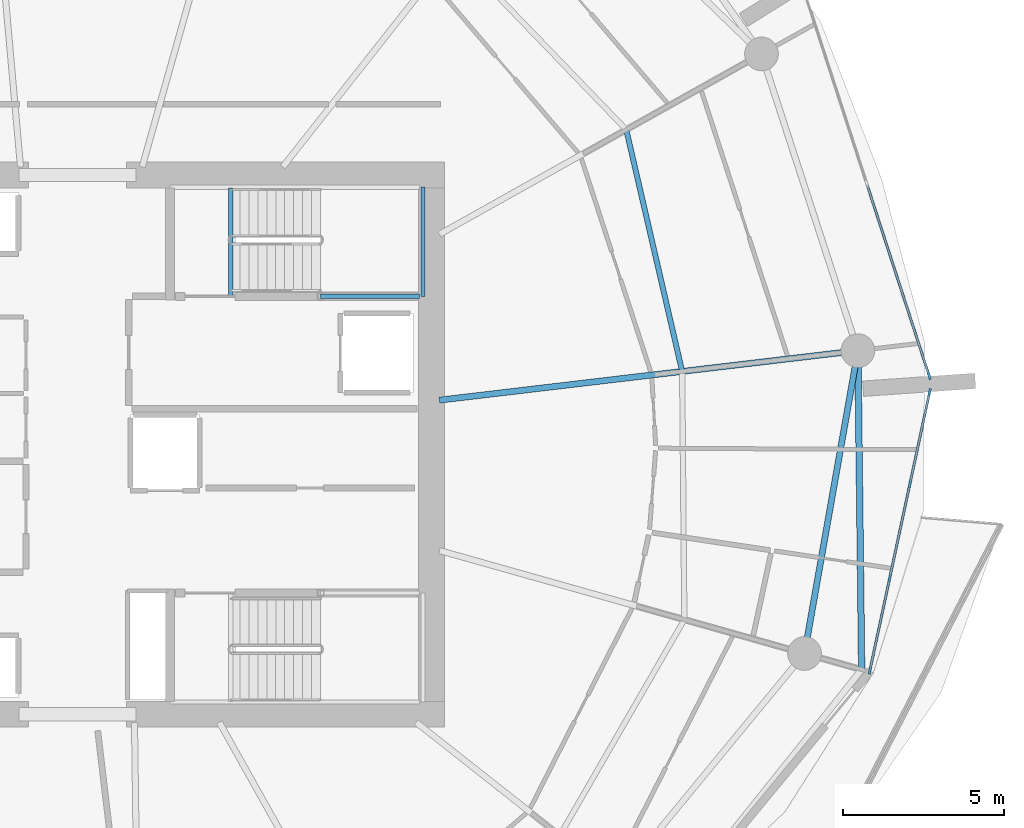
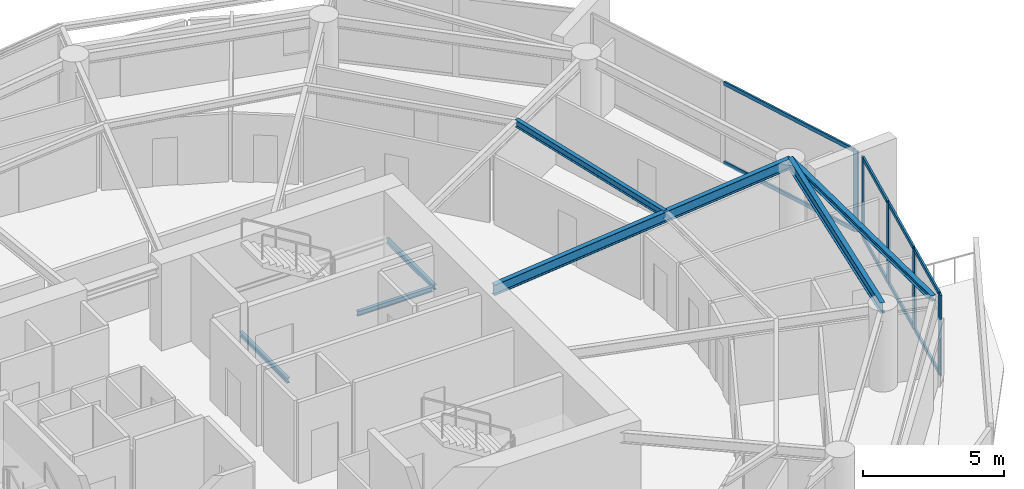
# One storey, part 7 of 20: 13 members, 7 beams, 2 elements without a shape of their own.
"""IFC4 building model written with IfcOpenShell, lengths in metres."""

from ifc_helpers import new_model, si_unit, direction, frame, origin, origin_2d, place, context, subcontext, project, spatial, rectangle, i_section, extrude, material, layer, layer_set, material_profile, profile_set, type_object, element, aggregate, save


model = new_model("IFC4")

# Units and contexts
model_context = context("Model", 3, precision=1e-05, world=origin(), true_north=direction((0.0, 1.0)))
body_context = subcontext(model_context, "Body", "Model", "MODEL_VIEW")
ifc_project = project(units=[si_unit("LENGTHUNIT", "METRE"), si_unit("AREAUNIT", "SQUARE_METRE"), si_unit("VOLUMEUNIT", "CUBIC_METRE"), si_unit("PLANEANGLEUNIT", "RADIAN"), si_unit("MASSUNIT", "GRAM", prefix="KILO")], contexts=[model_context])

# Site, building, storey
site_placement = place(None, origin())
site = spatial("IfcSite", under=ifc_project, at=site_placement, CompositionType="ELEMENT")
building_placement = place(site_placement, origin())
building = spatial("IfcBuilding", under=site, at=building_placement, Name="Kazma Halo Residences", CompositionType="ELEMENT")
storey_placement = place(building_placement, frame((0.0, 0.0, 146.550048828125)))
storey = spatial("IfcBuildingStorey", under=building, at=storey_placement, Name="L36", CompositionType="ELEMENT", Elevation=146.550048828125)

# Beams
ifc_material_1 = material(Name="Steel S355", Category="steel")
ifc_material_profile_1 = material_profile(ifc_material_1, i_section(OverallWidth=0.201904296875, OverallDepth=0.2470703125, WebThickness=0.00732421875, FlangeThickness=0.010986328125, FilletRadius=0.011962890625, at=origin_2d()), Name="W250x49.1")
ifc_profile_set_1 = profile_set([ifc_material_profile_1], Name="Steel S355")
beam_type_1 = type_object("IfcBeamType", Name="BM-BAL-CANT", PredefinedType="BEAM", material=ifc_profile_set_1)
beam_1_placement = place(storey_placement, frame((72.850341796875, 34.991455078125, 3.37646484375), z_axis=(-0.011793371143, 0.99993045578, 0.0), x_axis=(-0.99993045578, -0.011793371143, 0.0)))
element("IfcBeam", 1, at=beam_1_placement, inside=storey, type_object=beam_type_1, Name="L36 wave-balcony tie beam 15", PredefinedType="BEAM", context=body_context, shape_type="SweptSolid", body=[
    extrude(i_section(OverallWidth=0.201904296875, OverallDepth=0.2470703125, WebThickness=0.00732421875, FlangeThickness=0.010986328125, FilletRadius=0.011962890625, at=origin_2d()), origin(), (0.0, 0.0, 1.0), 9.936767578125),
])
ifc_material_profile_2 = material_profile(ifc_material_1, i_section(OverallWidth=0.18994140625, OverallDepth=0.45703125, WebThickness=0.009033203125, FlangeThickness=0.014404296875, FilletRadius=0.01611328125, at=origin_2d()), Name="W460x74")
ifc_profile_set_2 = profile_set([ifc_material_profile_2], Name="Steel S355")
beam_type_2 = type_object("IfcBeamType", Name="BM-RAD-W460", PredefinedType="BEAM", material=ifc_profile_set_2)
beam_2_placement = place(storey_placement, frame((59.699951171875, 43.384765625, 3.271484375), z_axis=(0.993067181848, 0.117548170278, 0.0), x_axis=(-0.117548170278, 0.993067181848, 0.0)))
element("IfcBeam", 2, at=beam_2_placement, inside=storey, type_object=beam_type_2, Name="L36 radial floor beam 16", PredefinedType="BEAM", context=body_context, shape_type="SweptSolid", body=[
    extrude(i_section(OverallWidth=0.18994140625, OverallDepth=0.45703125, WebThickness=0.009033203125, FlangeThickness=0.014404296875, FilletRadius=0.01611328125, at=origin_2d()), origin(), (0.0, 0.0, 1.0), 13.124267578125),
])
ifc_material_profile_3 = material_profile(ifc_material_1, i_section(OverallWidth=0.1650390625, OverallDepth=0.31005859375, WebThickness=0.005859375, FlangeThickness=0.009765625, FilletRadius=0.011962890625, at=origin_2d()), Name="W310x38.7")
ifc_profile_set_3 = profile_set([ifc_material_profile_3], Name="Steel S355")
beam_type_3 = type_object("IfcBeamType", Name="BM-SEC-W310B", PredefinedType="JOIST", material=ifc_profile_set_3)
beam_3_placement = place(storey_placement, frame((67.25927734375, 44.279541015625, 3.344970703125), z_axis=(-0.225330067077, 0.97428248515, 0.0), x_axis=(-0.97428248515, -0.225330067077, 0.0)))
element("IfcBeam", 3, at=beam_3_placement, inside=storey, type_object=beam_type_3, Name="L36 circumferential floor joist 16", PredefinedType="JOIST", context=body_context, shape_type="SweptSolid", body=[
    extrude(i_section(OverallWidth=0.1650390625, OverallDepth=0.31005859375, WebThickness=0.005859375, FlangeThickness=0.009765625, FilletRadius=0.011962890625, at=origin_2d()), origin(), (0.0, 0.0, 1.0), 7.7294921875),
])
ifc_material_profile_4 = material_profile(ifc_material_1, i_section(OverallWidth=0.18994140625, OverallDepth=0.45703125, WebThickness=0.009033203125, FlangeThickness=0.014404296875, FilletRadius=0.01611328125, at=origin_2d()), Name="W460x74")
ifc_profile_set_4 = profile_set([ifc_material_profile_4], Name="Steel S355")
beam_type_4 = type_object("IfcBeamType", Name="BM-SPN-W460", PredefinedType="BEAM", material=ifc_profile_set_4)
beam_4_placement = place(storey_placement, frame((71.06982421875, 35.49365234375, 3.271484375), z_axis=(0.173637033425, 0.984809717978, 0.0), x_axis=(-0.984809717978, 0.173637033425, 0.0)))
element("IfcBeam", 4, at=beam_4_placement, inside=storey, type_object=beam_type_4, Name="L36 perimeter ring beam 15", PredefinedType="BEAM", context=body_context, shape_type="SweptSolid", body=[
    extrude(i_section(OverallWidth=0.18994140625, OverallDepth=0.45703125, WebThickness=0.009033203125, FlangeThickness=0.014404296875, FilletRadius=0.01611328125, at=origin_2d()), origin(), (0.0, 0.0, 1.0), 9.579345703125),
])
ifc_material_profile_5 = material_profile(ifc_material_1, i_section(OverallWidth=0.133056640625, OverallDepth=0.20703125, WebThickness=0.005859375, FlangeThickness=0.00830078125, FilletRadius=0.010009765625, at=origin_2d()), Name="W200x26.6")
ifc_profile_set_5 = profile_set([ifc_material_profile_5], Name="Steel S355")
beam_type_5 = type_object("IfcBeamType", Name="BM-TRIM-W200", PredefinedType="BEAM", material=ifc_profile_set_5)
beam_5_placement = place(storey_placement, frame((53.199951171875, 46.6201171875, -0.360107421875), z_axis=(0.0, 1.0, 0.0), x_axis=(-1.0, 0.0, 0.0)))
element("IfcBeam", 5, at=beam_5_placement, inside=storey, type_object=beam_type_5, Name="L36 ST-02 floor landing support beam", PredefinedType="BEAM", context=body_context, shape_type="SweptSolid", body=[
    extrude(i_section(OverallWidth=0.133056640625, OverallDepth=0.20703125, WebThickness=0.005859375, FlangeThickness=0.00830078125, FilletRadius=0.010009765625, at=origin_2d()), origin(), (0.0, 0.0, 1.0), 3.3798828125),
])
beam_6_placement = place(storey_placement, frame((56.0, 46.6201171875, 1.570068359375), z_axis=(1.0, 0.0, 0.0), x_axis=(0.0, 1.0, 0.0)))
element("IfcBeam", 6, at=beam_6_placement, inside=storey, type_object=beam_type_5, Name="L36 ST-02 landing south wall ledger", PredefinedType="BEAM", context=body_context, shape_type="SweptSolid", body=[
    extrude(i_section(OverallWidth=0.133056640625, OverallDepth=0.20703125, WebThickness=0.005859375, FlangeThickness=0.00830078125, FilletRadius=0.010009765625, at=origin_2d()), origin(), (0.0, 0.0, 1.0), 3.070068359375),
])
beam_7_placement = place(storey_placement, frame((59.18994140625, 46.6201171875, 1.570068359375), z_axis=(0.0, 1.0, 0.0), x_axis=(-1.0, 0.0, 0.0)))
element("IfcBeam", 7, at=beam_7_placement, inside=storey, type_object=beam_type_5, Name="L36 ST-02 landing end wall ledger", PredefinedType="BEAM", context=body_context, shape_type="SweptSolid", body=[
    extrude(i_section(OverallWidth=0.133056640625, OverallDepth=0.20703125, WebThickness=0.005859375, FlangeThickness=0.00830078125, FilletRadius=0.010009765625, at=origin_2d()), origin(), (0.0, 0.0, 1.0), 3.39990234375),
])

# Curtain wall, members
ifc_material_2 = material(Name="Aluminium AW-6063 T6 and Triple-Silver Low-E Glass", Category="aluminium")
ifc_layer = layer(ifc_material_2, 0.219970703125)
ifc_layer_set = layer_set([ifc_layer], Name="Aluminium AW-6063 T6 and Triple-Silver Low-E Glass")
curtain_wall_type = type_object("IfcCurtainWallType", Name="CW-SYS-4", PredefinedType="NOTDEFINED", material=ifc_layer_set)
curtain_wall_1_placement = place(storey_placement, origin())
curtain_wall_1 = element("IfcCurtainWall", 8, at=curtain_wall_1_placement, inside=storey, type_object=curtain_wall_type, Name="L36 unitised curtain wall B15", PredefinedType="NOTDEFINED")
ifc_material_3 = material(Name="Aluminium AW-6063 T6", Category="aluminium")
ifc_material_profile_6 = material_profile(ifc_material_3, rectangle(XDim=0.074951171875, YDim=0.219970703125, at=origin_2d()), Name="CWM-75x220")
ifc_profile_set_6 = profile_set([ifc_material_profile_6], Name="Aluminium AW-6063 T6")
member_type_1 = type_object("IfcMemberType", Name="CW-SYS-4-MUL", PredefinedType="MULLION", material=ifc_profile_set_6)
member_1_placement = place(storey_placement, frame((73.105224609375, 34.95849609375, 0.0), z_axis=(0.0, 0.0, 1.0), x_axis=(-0.977764957684, 0.209703809037, 0.0)))
member_1 = element("IfcMember", 9, at=member_1_placement, type_object=member_type_1, Name="CWS-4 mullion 1", PredefinedType="MULLION", context=body_context, shape_type="SweptSolid", body=[
    extrude(rectangle(XDim=0.074951171875, YDim=0.219970703125, at=origin_2d()), origin(), (0.0, 0.0, 1.0), 3.5),
])
member_2_placement = place(storey_placement, frame((73.72314453125, 37.839111328125, 0.0), z_axis=(0.0, 0.0, 1.0), x_axis=(-0.977764957684, 0.209703809037, 0.0)))
member_2 = element("IfcMember", 10, at=member_2_placement, type_object=member_type_1, Name="CWS-4 mullion 2", PredefinedType="MULLION", context=body_context, shape_type="SweptSolid", body=[
    extrude(rectangle(XDim=0.074951171875, YDim=0.219970703125, at=origin_2d()), origin(), (0.0, 0.0, 1.0), 3.5),
])
member_3_placement = place(storey_placement, frame((74.3486328125, 40.75634765625, 0.0), z_axis=(0.0, 0.0, 1.0), x_axis=(-0.977764957684, 0.209703809037, 0.0)))
member_3 = element("IfcMember", 11, at=member_3_placement, type_object=member_type_1, Name="CWS-4 mullion 3", PredefinedType="MULLION", context=body_context, shape_type="SweptSolid", body=[
    extrude(rectangle(XDim=0.074951171875, YDim=0.219970703125, at=origin_2d()), origin(), (0.0, 0.0, 1.0), 3.5),
])
member_4_placement = place(storey_placement, frame((74.966552734375, 43.63671875, 0.0), z_axis=(0.0, 0.0, 1.0), x_axis=(-0.977764957684, 0.209703809037, 0.0)))
member_4 = element("IfcMember", 12, at=member_4_placement, type_object=member_type_1, Name="CWS-4 mullion 4", PredefinedType="MULLION", context=body_context, shape_type="SweptSolid", body=[
    extrude(rectangle(XDim=0.074951171875, YDim=0.219970703125, at=origin_2d()), origin(), (0.0, 0.0, 1.0), 3.5),
])

# Curtain wall, member
curtain_wall_2_placement = place(storey_placement, origin())
curtain_wall_2 = element("IfcCurtainWall", 13, at=curtain_wall_2_placement, inside=storey, type_object=curtain_wall_type, Name="L36 unitised curtain wall B16", PredefinedType="NOTDEFINED")
member_5_placement = place(storey_placement, frame((74.955810546875, 44.13427734375, 0.0), z_axis=(0.0, 0.0, 1.0), x_axis=(-0.951057547609, -0.3090138203, 0.0)))
member_5 = element("IfcMember", 14, at=member_5_placement, type_object=member_type_1, Name="CWS-4 mullion 1", PredefinedType="MULLION", context=body_context, shape_type="SweptSolid", body=[
    extrude(rectangle(XDim=0.074951171875, YDim=0.219970703125, at=origin_2d()), origin(), (0.0, 0.0, 1.0), 3.5),
])

# Member
ifc_material_profile_7 = material_profile(ifc_material_3, rectangle(XDim=0.074951171875, YDim=0.1650390625, at=origin_2d()), Name="CWT-75x165")
ifc_profile_set_7 = profile_set([ifc_material_profile_7], Name="Aluminium AW-6063 T6")
member_type_2 = type_object("IfcMemberType", Name="CW-SYS-4-TRN", PredefinedType="USERDEFINED", material=ifc_profile_set_7)
member_6_placement = place(storey_placement, frame((73.113037109375, 34.9951171875, 0.037353515625), z_axis=(0.209703309269, 0.977765064871, 0.0), x_axis=(-0.977765064871, 0.209703309269, 0.0)))
member_6 = element("IfcMember", 15, at=member_6_placement, type_object=member_type_2, Name="CWS-4 transom 1.1", ObjectType="TRANSOM", PredefinedType="USERDEFINED", context=body_context, shape_type="SweptSolid", body=[
    extrude(rectangle(XDim=0.074951171875, YDim=0.1650390625, at=origin_2d()), origin(), (0.0, 0.0, 1.0), 2.870849609375),
])

member_7_placement = place(storey_placement, frame((73.113037109375, 34.9951171875, 3.46240234375), z_axis=(0.209703309269, 0.977765064871, 0.0), x_axis=(-0.977765064871, 0.209703309269, 0.0)))
member_7 = element("IfcMember", 16, at=member_7_placement, type_object=member_type_2, Name="CWS-4 transom 1.2", ObjectType="TRANSOM", PredefinedType="USERDEFINED", context=body_context, shape_type="SweptSolid", body=[
    extrude(rectangle(XDim=0.074951171875, YDim=0.1650390625, at=origin_2d()), origin(), (0.0, 0.0, 1.0), 2.870849609375),
])

member_8_placement = place(storey_placement, frame((73.73095703125, 37.875732421875, 0.037353515625), z_axis=(0.209689601293, 0.977768004748, 0.0), x_axis=(-0.977768004748, 0.209689601293, 0.0)))
member_8 = element("IfcMember", 17, at=member_8_placement, type_object=member_type_2, Name="CWS-4 transom 2.1", ObjectType="TRANSOM", PredefinedType="USERDEFINED", context=body_context, shape_type="SweptSolid", body=[
    extrude(rectangle(XDim=0.074951171875, YDim=0.1650390625, at=origin_2d()), origin(), (0.0, 0.0, 1.0), 2.908447265625),
])

member_9_placement = place(storey_placement, frame((73.73095703125, 37.875732421875, 3.46240234375), z_axis=(0.209689601293, 0.977768004748, 0.0), x_axis=(-0.977768004748, 0.209689601293, 0.0)))
member_9 = element("IfcMember", 18, at=member_9_placement, type_object=member_type_2, Name="CWS-4 transom 2.2", ObjectType="TRANSOM", PredefinedType="USERDEFINED", context=body_context, shape_type="SweptSolid", body=[
    extrude(rectangle(XDim=0.074951171875, YDim=0.1650390625, at=origin_2d()), origin(), (0.0, 0.0, 1.0), 2.908447265625),
])

member_10_placement = place(storey_placement, frame((74.356689453125, 40.79296875, 0.037353515625), z_axis=(0.209703309269, 0.977765064871, 0.0), x_axis=(-0.977765064871, 0.209703309269, 0.0)))
member_10 = element("IfcMember", 19, at=member_10_placement, type_object=member_type_2, Name="CWS-4 transom 3.1", ObjectType="TRANSOM", PredefinedType="USERDEFINED", context=body_context, shape_type="SweptSolid", body=[
    extrude(rectangle(XDim=0.074951171875, YDim=0.1650390625, at=origin_2d()), origin(), (0.0, 0.0, 1.0), 2.870849609375),
])

member_11_placement = place(storey_placement, frame((74.356689453125, 40.79296875, 3.46240234375), z_axis=(0.209703309269, 0.977765064871, 0.0), x_axis=(-0.977765064871, 0.209703309269, 0.0)))
member_11 = element("IfcMember", 20, at=member_11_placement, type_object=member_type_2, Name="CWS-4 transom 3.2", ObjectType="TRANSOM", PredefinedType="USERDEFINED", context=body_context, shape_type="SweptSolid", body=[
    extrude(rectangle(XDim=0.074951171875, YDim=0.1650390625, at=origin_2d()), origin(), (0.0, 0.0, 1.0), 2.870849609375),
])

aggregate(curtain_wall_1, [member_1, member_2, member_3, member_4, member_6, member_7, member_8, member_9, member_10, member_11])

member_12_placement = place(storey_placement, frame((74.9443359375, 44.169921875, 0.037353515625), z_axis=(-0.309006258762, 0.95106000444, 0.0), x_axis=(-0.95106000444, -0.309006258762, 0.0)))
member_12 = element("IfcMember", 21, at=member_12_placement, type_object=member_type_2, Name="CWS-4 transom 1.1", ObjectType="TRANSOM", PredefinedType="USERDEFINED", context=body_context, shape_type="SweptSolid", body=[
    extrude(rectangle(XDim=0.074951171875, YDim=0.1650390625, at=origin_2d()), origin(), (0.0, 0.0, 1.0), 6.22509765625),
])

member_13_placement = place(storey_placement, frame((74.9443359375, 44.169921875, 3.46240234375), z_axis=(-0.309006258762, 0.95106000444, 0.0), x_axis=(-0.95106000444, -0.309006258762, 0.0)))
member_13 = element("IfcMember", 22, at=member_13_placement, type_object=member_type_2, Name="CWS-4 transom 1.2", ObjectType="TRANSOM", PredefinedType="USERDEFINED", context=body_context, shape_type="SweptSolid", body=[
    extrude(rectangle(XDim=0.074951171875, YDim=0.1650390625, at=origin_2d()), origin(), (0.0, 0.0, 1.0), 6.22509765625),
])

aggregate(curtain_wall_2, [member_5, member_12, member_13])

save(model, "model.ifc")
